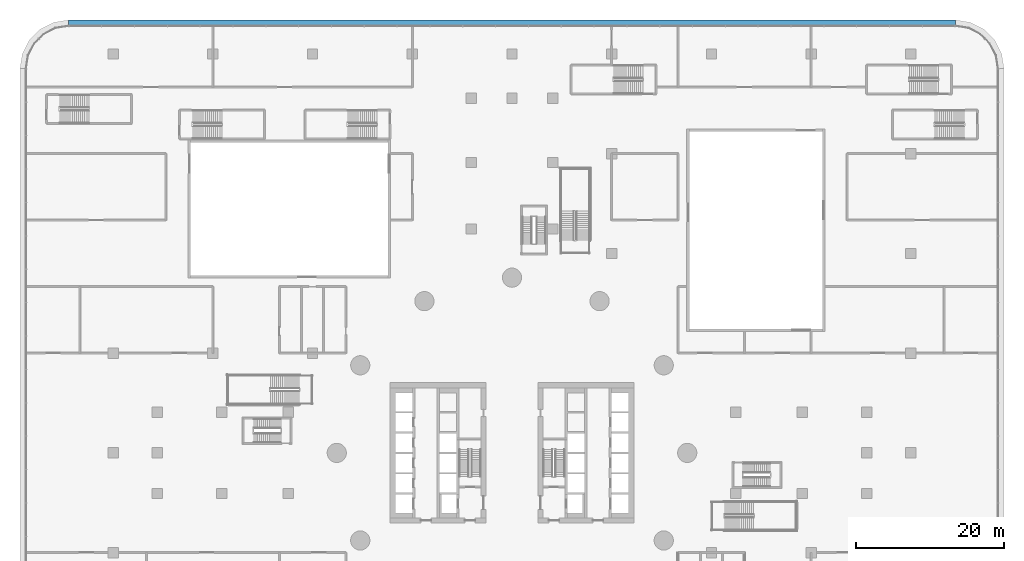
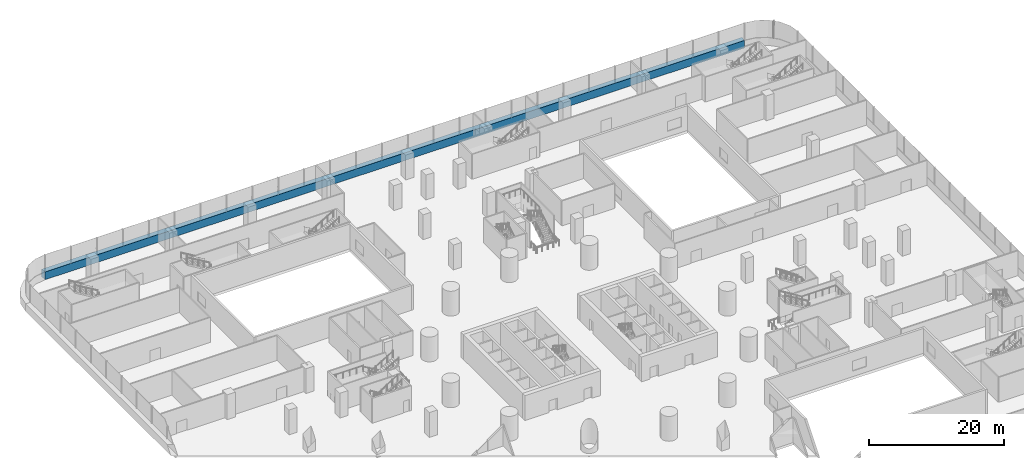
# One storey, part 13 of 44: 1 member, 1 element without a shape of its own.
"""IFC4 building model written with IfcOpenShell, lengths in metres."""

import ifcopenshell
import ifcopenshell.guid

model = None  # the IFC model being written
_history = None  # IfcOwnerHistory: only IFC2X3 demands one
_inside = {}  # id of a spatial element -> (the spatial element, [elements in it])
_under = {}  # id of a project, library or spatial element -> (it, [spatial elements below it])
_declared = {}  # id of a project -> (the project, [libraries it declares])
_typed = {}  # id of a type object -> (the type object, [elements of that type])
_made_of = {}  # id of a material, layer set ... -> (it, [elements and type objects made of it])


def new_model(schema):
    """Start an empty IFC model of exactly this schema.

    Asked for "IFC4X3", IfcOpenShell would pick the latest addendum, in which some entities
    have other attributes; the version numbers below select the first issue.
    IFC2X3 requires an IfcOwnerHistory on every rooted entity: one is made here for all.
    """
    global model, _history
    if schema == "IFC4X3":
        model = ifcopenshell.file(schema_version=(4, 3, 0, 0))
    else:
        model = ifcopenshell.file(schema=schema)
    _inside.clear()
    _under.clear()
    _declared.clear()
    _typed.clear()
    _made_of.clear()
    _history = None
    if model.schema == "IFC2X3":
        org = make("IfcOrganization", Name="unknown")
        user = make(
            "IfcPersonAndOrganization",
            ThePerson=make("IfcPerson", FamilyName="unknown"),
            TheOrganization=org,
        )
        app = make(
            "IfcApplication",
            ApplicationDeveloper=org,
            Version="unknown",
            ApplicationFullName="unknown",
            ApplicationIdentifier="unknown",
        )
        _history = make(
            "IfcOwnerHistory",
            OwningUser=user,
            OwningApplication=app,
            ChangeAction="ADDED",
            CreationDate=0,
        )
    return model


def make(cls, **values):
    """One entity of the class cls with the attributes given. An attribute that is None is left unset."""
    return model.create_entity(
        cls, **{name: value for name, value in values.items() if value is not None}
    )


def rooted(cls, **values):
    """An entity with a GlobalId (a new one), such as an element, a storey or a relation."""
    return make(cls, GlobalId=ifcopenshell.guid.new(), OwnerHistory=_history, **values)


def si_unit(unit_type, name, prefix=None):
    """IfcSIUnit, for example si_unit("LENGTHUNIT", "METRE", prefix="MILLI")."""
    return make("IfcSIUnit", UnitType=unit_type, Prefix=prefix, Name=name)


def assignment(units):
    """IfcUnitAssignment: the units of a project."""
    return None if units is None else make("IfcUnitAssignment", Units=units)


def point(xyz):
    """IfcCartesianPoint."""
    return None if xyz is None else make("IfcCartesianPoint", Coordinates=xyz)


def direction(xyz):
    """IfcDirection."""
    return None if xyz is None else make("IfcDirection", DirectionRatios=xyz)


def frame(location, z_axis=None, x_axis=None):
    """IfcAxis2Placement3D, a coordinate frame: its origin and axes. An axis left out is left unset."""
    return make(
        "IfcAxis2Placement3D",
        Location=point(location),
        Axis=direction(z_axis),
        RefDirection=direction(x_axis),
    )


def origin():
    """The frame at (0, 0, 0) with its axes left unset."""
    return frame((0.0, 0.0, 0.0))


def place(relative_to, where):
    """IfcLocalPlacement: puts the frame where relative to a parent placement (None: the world)."""
    return make(
        "IfcLocalPlacement", PlacementRelTo=relative_to, RelativePlacement=where
    )


def context(
    kind, dimensions, precision=None, world=None, true_north=None, identifier=None
):
    """IfcGeometricRepresentationContext, for example the 3D "Model" context."""
    return make(
        "IfcGeometricRepresentationContext",
        ContextIdentifier=identifier,
        ContextType=kind,
        CoordinateSpaceDimension=dimensions,
        Precision=precision,
        WorldCoordinateSystem=world,
        TrueNorth=true_north,
    )


def subcontext(parent, identifier, kind, view, scale=None):
    """IfcGeometricRepresentationSubContext, for example "Body" below "Model"."""
    return make(
        "IfcGeometricRepresentationSubContext",
        ContextIdentifier=identifier,
        ContextType=kind,
        ParentContext=parent,
        TargetScale=scale,
        TargetView=view,
    )


def project(units=None, contexts=None):
    """IfcProject with its units and contexts."""
    return rooted(
        "IfcProject",
        Name="project",
        RepresentationContexts=contexts,
        UnitsInContext=assignment(units),
    )


def spatial(cls, under=None, at=None, **own):
    """A site, building, storey or space (cls), placed at a placement, below another one or the project."""
    s = rooted(cls, ObjectPlacement=at, **own)
    if under is not None:
        _under.setdefault(under.id(), (under, []))[1].append(s)
    return s


def polyline(points):
    """IfcPolyline through the points."""
    return make("IfcPolyline", Points=[point(p) for p in points])


def outline(outer, holes=None, kind="AREA"):
    """IfcArbitraryClosedProfileDef: a profile drawn as a closed curve; with holes, ...WithVoids."""
    if holes is None:
        return make("IfcArbitraryClosedProfileDef", ProfileType=kind, OuterCurve=outer)
    return make(
        "IfcArbitraryProfileDefWithVoids",
        ProfileType=kind,
        OuterCurve=outer,
        InnerCurves=holes,
    )


def extrude(swept, where, along, depth):
    """IfcExtrudedAreaSolid: the profile swept, set in the frame where, extruded along a direction by depth."""
    return make(
        "IfcExtrudedAreaSolid",
        SweptArea=swept,
        Position=where,
        ExtrudedDirection=direction(along),
        Depth=depth,
    )


def shape(context_of_items, identifier, shape_type, items):
    """IfcShapeRepresentation: the items that make up one representation, for example the "Body"."""
    return make(
        "IfcShapeRepresentation",
        ContextOfItems=context_of_items,
        RepresentationIdentifier=identifier,
        RepresentationType=shape_type,
        Items=items,
    )


def material(Name=None, Category=None):
    """IfcMaterial."""
    return make("IfcMaterial", Name=Name, Category=Category)


def layer(
    of_material, thickness, ventilated=None, Name=None, Category=None, Priority=None
):
    """IfcMaterialLayer: one layer of a wall or slab, of a material (None: an air gap)."""
    return make(
        "IfcMaterialLayer",
        Material=of_material,
        LayerThickness=thickness,
        IsVentilated=ventilated,
        Name=Name,
        Category=Category,
        Priority=Priority,
    )


def layer_set(layers, Name=None):
    """IfcMaterialLayerSet."""
    return make("IfcMaterialLayerSet", MaterialLayers=layers, LayerSetName=Name)


def made_of(thing, what):
    """Note that an element or type object is made of a material, layer set ...; save() writes the relation."""
    if what is not None:
        _made_of.setdefault(what.id(), (what, []))[1].append(thing)
    return thing


def type_object(cls, material=None, **own):
    """A type object (cls), such as IfcWallType, which elements share."""
    return made_of(rooted(cls, **own), material)


def element(
    cls,
    number,
    at=None,
    inside=None,
    cuts=None,
    type_object=None,
    material=None,
    context=None,
    identifier="Body",
    shape_type=None,
    held_by="IfcProductDefinitionShape",
    body=None,
    shapes=None,
    **own,
):
    """One element of the class cls, such as IfcWall. Its Tag is "e" and its number.

    at: its placement. inside: the storey or other place that contains it. cuts: it is an
    opening in that element (IfcRelVoidsElement). A single representation is given by context,
    identifier, shape_type and body (its items); several are given by shapes. held_by: the class
    of the entity that holds the representations. save() writes the other relations.
    """
    e = rooted(cls, Tag="e%d" % number, ObjectPlacement=at, **own)
    if body is not None:
        shapes = [shape(context, identifier, shape_type, body)]
    if shapes is not None:
        e.Representation = make(held_by, Representations=shapes)
    if inside is not None:
        _inside.setdefault(inside.id(), (inside, []))[1].append(e)
    if cuts is not None:
        rooted(
            "IfcRelVoidsElement", RelatingBuildingElement=cuts, RelatedOpeningElement=e
        )
    if type_object is not None:
        _typed.setdefault(type_object.id(), (type_object, []))[1].append(e)
    return made_of(e, material)


def aggregate(whole, parts):
    """IfcRelAggregates: a whole, such as a stair, and the parts it consists of."""
    return rooted("IfcRelAggregates", RelatingObject=whole, RelatedObjects=parts)


def save(model, path):
    """Write the relations noted so far, then the file.

    IfcRelAggregates (storeys below a building ...), IfcRelContainedInSpatialStructure (elements
    in a storey), IfcRelDefinesByType, IfcRelAssociatesMaterial and IfcRelDeclares: one each for
    every whole, place, type object, material and project.
    """
    for whole, parts in _under.values():
        aggregate(whole, parts)
    for where, things in _inside.values():
        rooted(
            "IfcRelContainedInSpatialStructure",
            RelatedElements=things,
            RelatingStructure=where,
        )
    for kind, things in _typed.values():
        rooted("IfcRelDefinesByType", RelatedObjects=things, RelatingType=kind)
    for what, things in _made_of.values():
        rooted("IfcRelAssociatesMaterial", RelatedObjects=things, RelatingMaterial=what)
    for by, libraries in _declared.values():
        rooted("IfcRelDeclares", RelatingContext=by, RelatedDefinitions=libraries)
    model.write(path)


model = new_model("IFC4")

# Units and contexts
model_context = context("Model", 3, precision=1e-05, world=origin(), true_north=direction((0.0, 1.0)))
body_context = subcontext(model_context, "Body", "Model", "MODEL_VIEW")
ifc_project = project(units=[si_unit("LENGTHUNIT", "METRE"), si_unit("AREAUNIT", "SQUARE_METRE"), si_unit("VOLUMEUNIT", "CUBIC_METRE"), si_unit("PLANEANGLEUNIT", "RADIAN"), si_unit("MASSUNIT", "GRAM", prefix="KILO")], contexts=[model_context])

# Site, building, storey
site_placement = place(None, origin())
site = spatial("IfcSite", under=ifc_project, at=site_placement, CompositionType="ELEMENT")
building_placement = place(site_placement, origin())
building = spatial("IfcBuilding", under=site, at=building_placement, Name="Tamarind Cross Interchange Tower", CompositionType="ELEMENT")
storey_placement = place(building_placement, frame((0.0, 0.0, 15.0)))
storey = spatial("IfcBuildingStorey", under=building, at=storey_placement, Name="L02", CompositionType="ELEMENT", Elevation=15.0)

# Curtain wall, member
ifc_material_1 = material(Name="Aluminium 6063-T6", Category="aluminium")
ifc_layer = layer(ifc_material_1, 0.199951171875)
ifc_layer_set = layer_set([ifc_layer], Name="Aluminium 6063-T6")
curtain_wall_type = type_object("IfcCurtainWallType", Name="Podium shopfront and station curtain wall", PredefinedType="NOTDEFINED", material=ifc_layer_set)
curtain_wall_placement = place(storey_placement, origin())
curtain_wall = element("IfcCurtainWall", 1, at=curtain_wall_placement, inside=storey, type_object=curtain_wall_type, Name="CWS-L02-02", PredefinedType="NOTDEFINED")
ifc_material_2 = material(Name="Aluminium and insulated spandrel panel", Category="aluminium")
member_type = type_object("IfcMemberType", Name="Floor-edge blade transom", PredefinedType="USERDEFINED", material=ifc_material_2)
member_placement = place(storey_placement, origin())
member = element("IfcMember", 2, at=member_placement, type_object=member_type, Name="CWT-L02-02", ObjectType="TRANSOM", PredefinedType="USERDEFINED", context=body_context, shape_type="SweptSolid", body=[
    extrude(outline(polyline([(59.976318359375, 57.699951171875), (-59.976318359375, 57.699951171875), (-60.047119140625, 58.60009765625), (60.047119140625, 58.60009765625), (59.976318359375, 57.699951171875)])), origin(), (0.0, 0.0, 1.0), 1.39990234375),
])
aggregate(curtain_wall, [member])

save(model, "model.ifc")
